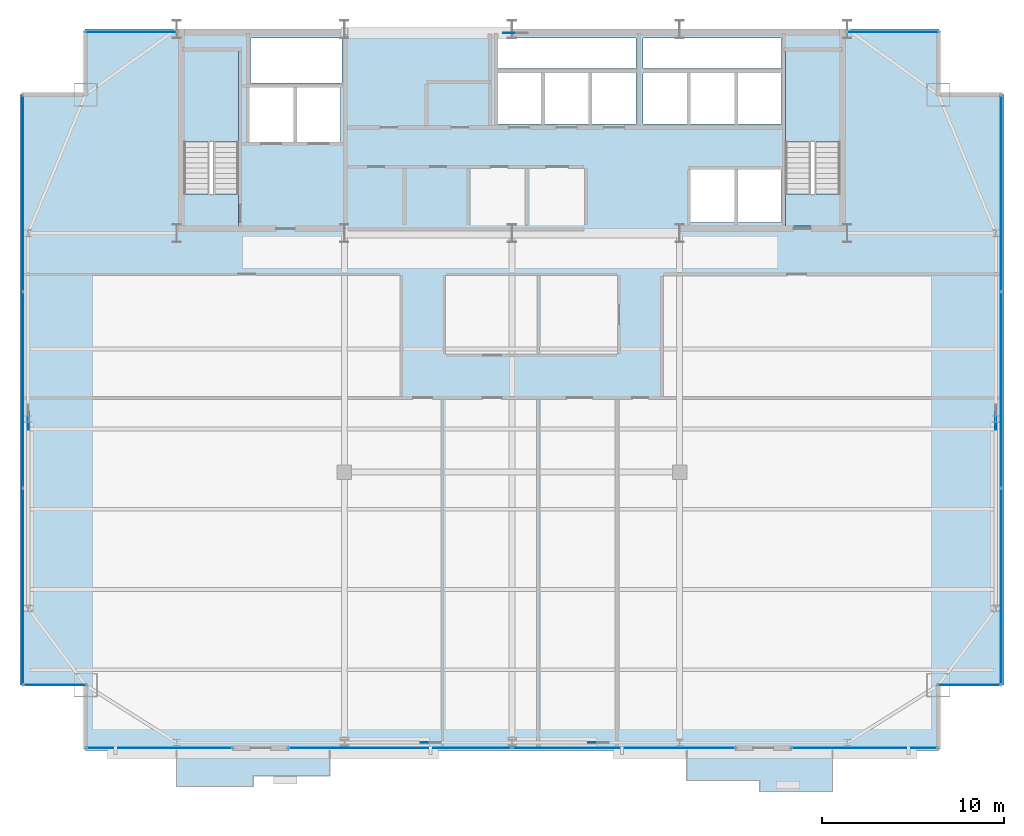
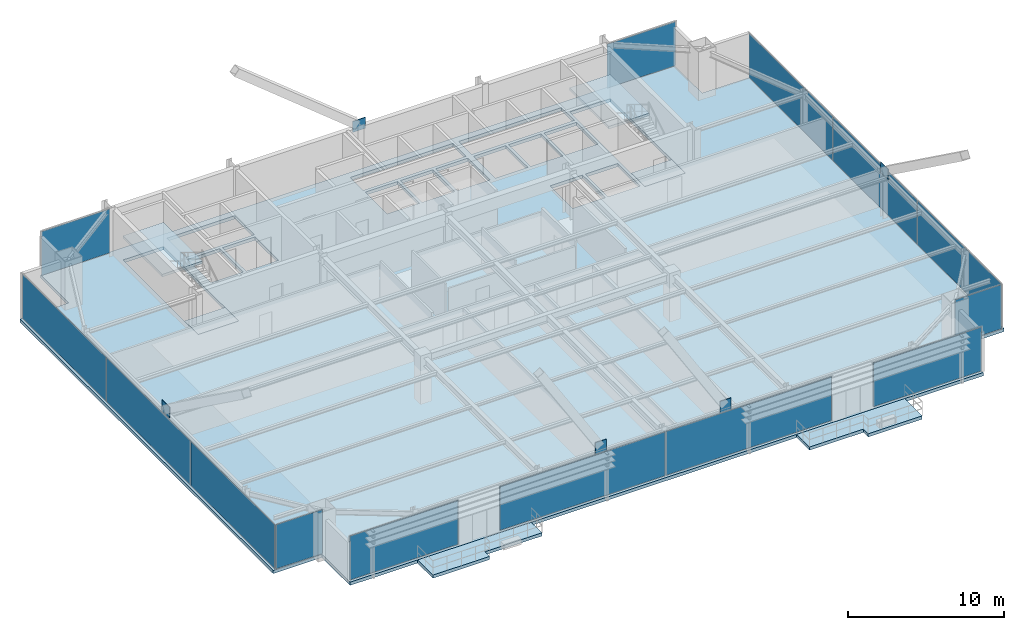
# One storey, part 25 of 32: 19 plates, 7 slabs, 11 elements without a shape of their own.
"""IFC4 building model written with IfcOpenShell, lengths in metres."""

from ifc_helpers import new_model, si_unit, direction, frame, origin, origin_2d, place, context, subcontext, project, spatial, polyline, rectangle, outline, extrude, source, transform, mapped, material, layer, layer_set, type_object, type_shapes, element, aggregate, save


model = new_model("IFC4")

# Units and contexts
model_context = context("Model", 3, precision=1e-05, world=origin(), true_north=direction((0.0, 1.0)))
body_context = subcontext(model_context, "Body", "Model", "MODEL_VIEW")
ifc_project = project(units=[si_unit("LENGTHUNIT", "METRE"), si_unit("AREAUNIT", "SQUARE_METRE"), si_unit("VOLUMEUNIT", "CUBIC_METRE"), si_unit("PLANEANGLEUNIT", "RADIAN"), si_unit("MASSUNIT", "GRAM", prefix="KILO")], contexts=[model_context])

# Site, building, storey
site_placement = place(None, origin())
site = spatial("IfcSite", under=ifc_project, at=site_placement, CompositionType="ELEMENT")
building_placement = place(site_placement, origin())
building = spatial("IfcBuilding", under=site, at=building_placement, Name="Varnel Quay Broadcast Tower", CompositionType="ELEMENT")
storey_placement = place(building_placement, frame((0.0, 0.0, 164.800048828125)))
storey = spatial("IfcBuildingStorey", under=building, at=storey_placement, Name="L40", CompositionType="ELEMENT", Elevation=164.800048828125)

# Slabs
ifc_material_1 = material(Name="Concrete CSA A23.3 C40/50", Category="concrete")
ifc_layer_1 = layer(ifc_material_1, 0.25, Name="Concrete CSA A23.3 C40/50")
ifc_layer_set_1 = layer_set([ifc_layer_1], Name="Concrete CSA A23.3 C40/50")
slab_type_1 = type_object("IfcSlabType", Name="Slab_ExtTerrace250", PredefinedType="FLOOR", material=ifc_layer_set_1)
slab_1_placement = place(storey_placement, frame((0.0, 0.0, -0.25)))
element("IfcSlab", 1, at=slab_1_placement, inside=storey, type_object=slab_type_1, Name="L40 Planted Lobe Terrace Slab 1", PredefinedType="FLOOR", context=body_context, shape_type="SweptSolid", body=[
    extrude(outline(polyline([(15.590087890625, 5.236083984375), (19.7900390625, 5.236083984375), (19.7900390625, 5.8359375), (23.989990234375, 5.8359375), (23.989990234375, 7.199951171875), (15.590087890625, 7.199951171875), (15.590087890625, 5.236083984375)])), origin(), (0.0, 0.0, 1.0), 0.25),
])
slab_2_placement = place(storey_placement, frame((0.0, 0.0, -0.25)))
element("IfcSlab", 2, at=slab_2_placement, inside=storey, type_object=slab_type_1, Name="L40 Planted Lobe Terrace Slab 2", PredefinedType="FLOOR", context=body_context, shape_type="SweptSolid", body=[
    extrude(outline(polyline([(43.60009765625, 5.56396484375), (47.594970703125, 5.56396484375), (47.594970703125, 4.964111328125), (51.590087890625, 4.964111328125), (51.590087890625, 7.199951171875), (43.60009765625, 7.199951171875), (43.60009765625, 5.56396484375)])), origin(), (0.0, 0.0, 1.0), 0.25),
])
ifc_material_2 = material(Name="Concrete CSA A23.3 C50/60", Category="concrete")
ifc_layer_2 = layer(ifc_material_2, 0.25, Name="Concrete CSA A23.3 C50/60")
ifc_layer_set_2 = layer_set([ifc_layer_2], Name="Concrete CSA A23.3 C50/60")
slab_type_2 = type_object("IfcSlabType", Name="Slab_Floor250", PredefinedType="FLOOR", material=ifc_layer_set_2)
slab_3_placement = place(storey_placement, frame((0.0, 0.0, -0.25)))
element("IfcSlab", 3, at=slab_3_placement, inside=storey, type_object=slab_type_2, Name="L40 Structural Slab", PredefinedType="FLOOR", context=body_context, shape_type="SweptSolid", body=[
    extrude(outline(polyline([(10.60009765625, 7.199951171875), (57.39990234375, 7.199951171875), (57.39990234375, 10.800048828125), (61.0, 10.800048828125), (61.0, 43.199951171875), (57.39990234375, 43.199951171875), (57.39990234375, 46.800048828125), (10.60009765625, 46.800048828125), (10.60009765625, 43.199951171875), (7.0, 43.199951171875), (7.0, 10.800048828125), (10.60009765625, 10.800048828125), (10.60009765625, 7.199951171875)]), holes=[polyline([(19.0, 36.0), (16.0, 36.0), (16.0, 45.60009765625), (19.0, 45.60009765625), (19.0, 36.0)]), polyline([(19.60009765625, 43.60009765625), (22.0, 43.60009765625), (22.0, 40.60009765625), (19.60009765625, 40.60009765625), (19.60009765625, 43.60009765625)]), polyline([(22.199951171875, 43.60009765625), (24.60009765625, 43.60009765625), (24.60009765625, 40.60009765625), (22.199951171875, 40.60009765625), (22.199951171875, 43.60009765625)]), polyline([(33.199951171875, 44.39990234375), (35.60009765625, 44.39990234375), (35.60009765625, 41.60009765625), (33.199951171875, 41.60009765625), (33.199951171875, 44.39990234375)]), polyline([(35.800048828125, 44.39990234375), (38.199951171875, 44.39990234375), (38.199951171875, 41.60009765625), (35.800048828125, 41.60009765625), (35.800048828125, 44.39990234375)]), polyline([(38.39990234375, 44.39990234375), (40.800048828125, 44.39990234375), (40.800048828125, 41.60009765625), (38.39990234375, 41.60009765625), (38.39990234375, 44.39990234375)]), polyline([(19.64990234375, 46.300048828125), (24.679931640625, 46.300048828125), (24.679931640625, 43.85009765625), (19.64990234375, 43.85009765625), (19.64990234375, 46.300048828125)]), polyline([(33.199951171875, 46.300048828125), (40.800048828125, 46.300048828125), (40.800048828125, 44.64990234375), (33.199951171875, 44.64990234375), (33.199951171875, 46.300048828125)]), polyline([(43.800048828125, 39.10009765625), (46.199951171875, 39.10009765625), (46.199951171875, 36.199951171875), (43.800048828125, 36.199951171875), (43.800048828125, 39.10009765625)]), polyline([(46.39990234375, 39.10009765625), (48.800048828125, 39.10009765625), (48.800048828125, 36.199951171875), (46.39990234375, 36.199951171875), (46.39990234375, 39.10009765625)]), polyline([(49.0, 36.0), (49.0, 45.60009765625), (52.0, 45.60009765625), (52.0, 36.0), (49.0, 36.0)]), polyline([(41.199951171875, 44.39990234375), (43.60009765625, 44.39990234375), (43.60009765625, 41.60009765625), (41.199951171875, 41.60009765625), (41.199951171875, 44.39990234375)]), polyline([(43.800048828125, 44.39990234375), (46.199951171875, 44.39990234375), (46.199951171875, 41.60009765625), (43.800048828125, 41.60009765625), (43.800048828125, 44.39990234375)]), polyline([(46.39990234375, 44.39990234375), (48.800048828125, 44.39990234375), (48.800048828125, 41.60009765625), (46.39990234375, 41.60009765625), (46.39990234375, 44.39990234375)]), polyline([(41.199951171875, 46.300048828125), (48.800048828125, 46.300048828125), (48.800048828125, 44.64990234375), (41.199951171875, 44.64990234375), (41.199951171875, 46.300048828125)])]), origin(), (0.0, 0.0, 1.0), 0.25),
])
ifc_layer_3 = layer(ifc_material_2, 0.25, Name="Concrete CSA A23.3 C50/60")
ifc_layer_set_3 = layer_set([ifc_layer_3], Name="Concrete CSA A23.3 C50/60")
slab_type_3 = type_object("IfcSlabType", Name="Slab_StairFloorLanding250", PredefinedType="FLOOR", material=ifc_layer_set_3)
slab_4_placement = place(storey_placement, frame((0.0, 0.0, -0.25)))
element("IfcSlab", 4, at=slab_4_placement, inside=storey, type_object=slab_type_3, Name="L40 ST-01 Structural Floor Landing Slab", PredefinedType="FLOOR", context=body_context, shape_type="SweptSolid", body=[
    extrude(outline(polyline([(19.0, 36.0), (19.0, 37.75), (16.0, 37.75), (16.0, 36.0), (19.0, 36.0)])), origin(), (0.0, 0.0, 1.0), 0.25),
])
slab_5_placement = place(storey_placement, frame((0.0, 0.0, -0.25)))
element("IfcSlab", 5, at=slab_5_placement, inside=storey, type_object=slab_type_3, Name="L40 ST-02 Structural Floor Landing Slab", PredefinedType="FLOOR", context=body_context, shape_type="SweptSolid", body=[
    extrude(outline(polyline([(52.0, 36.0), (52.0, 37.75), (49.0, 37.75), (49.0, 36.0), (52.0, 36.0)])), origin(), (0.0, 0.0, 1.0), 0.25),
])

# Stair, slab
ifc_material_3 = material(Name="Precast Structural Concrete C40/50", Category="concrete")
stair_type_1 = type_object("IfcStairType", Name="Stair_ST-01", PredefinedType="HALF_TURN_STAIR", material=ifc_material_3)
stair_1_placement = place(storey_placement, origin())
stair_1 = element("IfcStair", 6, at=stair_1_placement, inside=storey, type_object=stair_type_1, Name="L40 West Core Exit Stair 1", PredefinedType="HALF_TURN_STAIR")
ifc_layer_4 = layer(ifc_material_3, 0.199951171875, Name="Precast Structural Concrete C40/50")
ifc_layer_set_4 = layer_set([ifc_layer_4], Name="Precast Structural Concrete C40/50")
slab_type_4 = type_object("IfcSlabType", Name="Slab_StairLanding200", PredefinedType="LANDING", material=ifc_layer_set_4)
slab_6_placement = place(storey_placement, frame((0.0, 0.0, 1.699951171875)))
slab_6 = element("IfcSlab", 7, at=slab_6_placement, type_object=slab_type_4, Name="ST-01 landing 1", PredefinedType="LANDING", context=body_context, shape_type="SweptSolid", body=[
    extrude(outline(polyline([(19.0, 40.60009765625), (19.0, 45.60009765625), (16.0, 45.60009765625), (16.0, 40.60009765625), (19.0, 40.60009765625)])), origin(), (0.0, 0.0, 1.0), 0.199951171875),
])
aggregate(stair_1, [slab_6])

stair_type_2 = type_object("IfcStairType", Name="Stair_ST-02", PredefinedType="HALF_TURN_STAIR", material=ifc_material_3)
stair_2_placement = place(storey_placement, origin())
stair_2 = element("IfcStair", 8, at=stair_2_placement, inside=storey, type_object=stair_type_2, Name="L40 East Core Exit Stair 2", PredefinedType="HALF_TURN_STAIR")
slab_7_placement = place(storey_placement, frame((0.0, 0.0, 1.699951171875)))
slab_7 = element("IfcSlab", 9, at=slab_7_placement, type_object=slab_type_4, Name="ST-02 landing 1", PredefinedType="LANDING", context=body_context, shape_type="SweptSolid", body=[
    extrude(outline(polyline([(52.0, 40.60009765625), (52.0, 45.60009765625), (49.0, 45.60009765625), (49.0, 40.60009765625), (52.0, 40.60009765625)])), origin(), (0.0, 0.0, 1.0), 0.199951171875),
])
aggregate(stair_2, [slab_7])

# Plates
ifc_material_4 = material(Name="Structural Steel CSA G40.21 350WT", Category="steel")
ifc_layer_5 = layer(ifc_material_4, 0.0400390625, Name="Structural Steel CSA G40.21 350WT")
ifc_layer_set_5 = layer_set([ifc_layer_5], Name="Structural Steel CSA G40.21 350WT")
plate_type_1 = type_object("IfcPlateType", Name="Plate_MegaGusset", PredefinedType="USERDEFINED", material=ifc_layer_set_5)
shared_shape_1 = source(origin(), body_context, "Body", "SweptSolid", [
    extrude(rectangle(XDim=0.819091796875, YDim=0.0400390625, at=origin_2d()), origin(), (0.0, 0.0, 1.0), 1.053955078125),
])
for number, where, z_axis, x_axis, name in (
    (10, (29.39990234375, 7.64990234375, 3.14794921875), (0.0, 0.0, 1.0), (1.0, 0.0, 0.0), "Zone 3 Mega-Brace S-C1T2 Central X-Crossing Gusset Plate"),
    (11, (38.60009765625, 7.64990234375, 3.14794921875), (0.0, 0.0, 1.0), (1.0, 0.0, 0.0), "Zone 3 Mega-Brace S-C2T2 Central X-Crossing Gusset Plate"),
):
    element("IfcPlate", number, at=place(storey_placement, frame(where, z_axis=z_axis, x_axis=x_axis)), inside=storey, type_object=plate_type_1, Name=name, ObjectType="GUSSET_PLATE", PredefinedType="USERDEFINED", context=body_context, shape_type="MappedRepresentation", body=[
        mapped(shared_shape_1, transform((0.0, 0.0, 0.0), x_axis=(1.0, 0.0, 0.0), y_axis=(0.0, 1.0, 0.0), z_axis=(0.0, 0.0, 1.0), scale=1.0)),
    ])
shared_shape_2 = source(origin(), body_context, "Body", "SweptSolid", [
    extrude(rectangle(XDim=0.955078125, YDim=0.0400390625, at=origin_2d()), origin(), (0.0, 0.0, 1.0), 0.85791015625),
])
plate_1_placement = place(storey_placement, frame((34.0, 46.580078125, 3.24609375), z_axis=(0.0, 0.0, 1.0), x_axis=(1.0, 0.0, 0.0)))
element("IfcPlate", 12, at=plate_1_placement, inside=storey, type_object=plate_type_1, Name="Zone 3 Mega-Brace N-CT2 Central X-Crossing Gusset Plate", ObjectType="GUSSET_PLATE", PredefinedType="USERDEFINED", context=body_context, shape_type="MappedRepresentation", body=[
    mapped(shared_shape_2, transform((0.0, 0.0, 0.0), x_axis=(1.0, 0.0, 0.0), y_axis=(0.0, 1.0, 0.0), z_axis=(0.0, 0.0, 1.0), scale=1.0)),
])
shared_shape_3 = source(origin(), body_context, "Body", "SweptSolid", [
    extrude(rectangle(XDim=0.991943359375, YDim=0.0400390625, at=origin_2d()), origin(), (0.0, 0.0, 1.0), 0.840087890625),
])
type_shapes(plate_type_1, [shared_shape_1, shared_shape_2, shared_shape_3])
for number, where, z_axis, x_axis, name in (
    (13, (7.449951171875, 25.300048828125, 3.2548828125), (0.0, 0.0, 1.0), (0.0, 1.0, 0.0), "Zone 3 Mega-Brace W-FT2 Central X-Crossing Gusset Plate"),
    (14, (60.550048828125, 25.300048828125, 3.2548828125), (0.0, 0.0, 1.0), (0.0, 1.0, 0.0), "Zone 3 Mega-Brace E-FT2 Central X-Crossing Gusset Plate"),
):
    element("IfcPlate", number, at=place(storey_placement, frame(where, z_axis=z_axis, x_axis=x_axis)), inside=storey, type_object=plate_type_1, Name=name, ObjectType="GUSSET_PLATE", PredefinedType="USERDEFINED", context=body_context, shape_type="MappedRepresentation", body=[
        mapped(shared_shape_3, transform((0.0, 0.0, 0.0), x_axis=(1.0, 0.0, 0.0), y_axis=(0.0, 1.0, 0.0), z_axis=(0.0, 0.0, 1.0), scale=1.0)),
    ])

# Curtain wall, plate
ifc_material_5 = material(Name="Anodised Bronze Aluminium 6063-T6", Category="aluminium")
ifc_layer_6 = layer(ifc_material_5, 0.18994140625, Name="Anodised Bronze Aluminium 6063-T6")
ifc_layer_set_6 = layer_set([ifc_layer_6], Name="Anodised Bronze Aluminium 6063-T6")
curtain_wall_type_1 = type_object("IfcCurtainWallType", Name="CW_NotchCorner", PredefinedType="NOTDEFINED", material=ifc_layer_set_6)
curtain_wall_1_placement = place(storey_placement, origin())
curtain_wall_1 = element("IfcCurtainWall", 15, at=curtain_wall_1_placement, inside=storey, type_object=curtain_wall_type_1, Name="L40 SW Notch Curtain Wall", PredefinedType="NOTDEFINED")
ifc_material_6 = material(Name="Triple-Glazed Bronze Low-E Architectural Glass", Category="glass")
ifc_layer_7 = layer(ifc_material_6, 0.028076171875, Name="Triple-Glazed Bronze Low-E Architectural Glass")
ifc_layer_set_7 = layer_set([ifc_layer_7], Name="Triple-Glazed Bronze Low-E Architectural Glass")
plate_type_2 = type_object("IfcPlateType", Name="Panel_CWS-04", PredefinedType="CURTAIN_PANEL", material=ifc_layer_set_7)
shared_shape_4 = source(origin(), body_context, "Body", "SweptSolid", [
    extrude(rectangle(XDim=3.409912109375, YDim=0.028076171875, at=origin_2d()), origin(), (0.0, 0.0, 1.0), 3.43994140625),
])
type_shapes(plate_type_2, [shared_shape_4])
plate_2_placement = place(storey_placement, frame((8.9150390625, 10.800048828125, 0.054931640625), z_axis=(0.0, 0.0, 1.0), x_axis=(1.0, 0.0, 0.0)))
plate_2 = element("IfcPlate", 16, at=plate_2_placement, type_object=plate_type_2, Name="CWS-04 panel 1.1", PredefinedType="CURTAIN_PANEL", context=body_context, shape_type="MappedRepresentation", body=[
    mapped(shared_shape_4, transform((0.0, 0.0, 0.0), x_axis=(1.0, 0.0, 0.0), y_axis=(0.0, 1.0, 0.0), z_axis=(0.0, 0.0, 1.0), scale=1.0)),
])
aggregate(curtain_wall_1, [plate_2])

curtain_wall_2_placement = place(storey_placement, origin())
curtain_wall_2 = element("IfcCurtainWall", 17, at=curtain_wall_2_placement, inside=storey, type_object=curtain_wall_type_1, Name="L40 SE Notch Curtain Wall", PredefinedType="NOTDEFINED")
plate_3_placement = place(storey_placement, frame((59.0849609375, 10.800048828125, 0.054931640625), z_axis=(0.0, 0.0, 1.0), x_axis=(1.0, 0.0, 0.0)))
plate_3 = element("IfcPlate", 18, at=plate_3_placement, type_object=plate_type_2, Name="CWS-04 panel 1.1", PredefinedType="CURTAIN_PANEL", context=body_context, shape_type="MappedRepresentation", body=[
    mapped(shared_shape_4, transform((0.0, 0.0, 0.0), x_axis=(1.0, 0.0, 0.0), y_axis=(0.0, 1.0, 0.0), z_axis=(0.0, 0.0, 1.0), scale=1.0)),
])
aggregate(curtain_wall_2, [plate_3])

ifc_layer_8 = layer(ifc_material_5, 0.18994140625, Name="Anodised Bronze Aluminium 6063-T6")
ifc_layer_set_8 = layer_set([ifc_layer_8], Name="Anodised Bronze Aluminium 6063-T6")
curtain_wall_type_2 = type_object("IfcCurtainWallType", Name="CW_UpperTower", PredefinedType="NOTDEFINED", material=ifc_layer_set_8)
curtain_wall_3_placement = place(storey_placement, origin())
curtain_wall_3 = element("IfcCurtainWall", 19, at=curtain_wall_3_placement, inside=storey, type_object=curtain_wall_type_2, Name="L40 West Unitised Curtain Wall", PredefinedType="NOTDEFINED")
ifc_material_7 = material(Name="Insulated Bronze Spandrel Glass", Category="glass")
ifc_layer_9 = layer(ifc_material_7, 0.030029296875, Name="Insulated Bronze Spandrel Glass")
ifc_layer_set_9 = layer_set([ifc_layer_9], Name="Insulated Bronze Spandrel Glass")
plate_type_3 = type_object("IfcPlateType", Name="PanelSp_CWS-03", PredefinedType="CURTAIN_PANEL", material=ifc_layer_set_9)
shared_shape_5 = source(origin(), body_context, "Body", "SweptSolid", [
    extrude(rectangle(XDim=10.702392578125, YDim=0.030029296875, at=origin_2d()), origin(), (0.0, 0.0, 1.0), 3.429931640625),
])
plate_4_placement = place(storey_placement, frame((7.14990234375, 16.21630859375, 0.06005859375), z_axis=(0.0, 0.0, 1.0), x_axis=(0.0, 1.0, 0.0)))
plate_4 = element("IfcPlate", 20, at=plate_4_placement, type_object=plate_type_3, Name="CWS-03 panel 1.1", PredefinedType="CURTAIN_PANEL", context=body_context, shape_type="MappedRepresentation", body=[
    mapped(shared_shape_5, transform((0.0, 0.0, 0.0), x_axis=(1.0, 0.0, 0.0), y_axis=(0.0, 1.0, 0.0), z_axis=(0.0, 0.0, 1.0), scale=1.0)),
])

curtain_wall_4_placement = place(storey_placement, origin())
curtain_wall_4 = element("IfcCurtainWall", 21, at=curtain_wall_4_placement, inside=storey, type_object=curtain_wall_type_2, Name="L40 East Unitised Curtain Wall", PredefinedType="NOTDEFINED")
plate_5_placement = place(storey_placement, frame((60.85009765625, 16.21630859375, 0.06005859375), z_axis=(0.0, 0.0, 1.0), x_axis=(0.0, 1.0, 0.0)))
plate_5 = element("IfcPlate", 22, at=plate_5_placement, type_object=plate_type_3, Name="CWS-03 panel 1.1", PredefinedType="CURTAIN_PANEL", context=body_context, shape_type="MappedRepresentation", body=[
    mapped(shared_shape_5, transform((0.0, 0.0, 0.0), x_axis=(1.0, 0.0, 0.0), y_axis=(0.0, 1.0, 0.0), z_axis=(0.0, 0.0, 1.0), scale=1.0)),
])

# Plate
shared_shape_6 = source(origin(), body_context, "Body", "SweptSolid", [
    extrude(rectangle(XDim=10.735107421875, YDim=0.030029296875, at=origin_2d()), origin(), (0.0, 0.0, 1.0), 3.429931640625),
])
plate_6_placement = place(storey_placement, frame((7.14990234375, 27.0, 0.06005859375), z_axis=(0.0, 0.0, 1.0), x_axis=(0.0, 1.0, 0.0)))
plate_6 = element("IfcPlate", 23, at=plate_6_placement, type_object=plate_type_3, Name="CWS-03 panel 2.1", PredefinedType="CURTAIN_PANEL", context=body_context, shape_type="MappedRepresentation", body=[
    mapped(shared_shape_6, transform((0.0, 0.0, 0.0), x_axis=(1.0, 0.0, 0.0), y_axis=(0.0, 1.0, 0.0), z_axis=(0.0, 0.0, 1.0), scale=1.0)),
])

plate_7_placement = place(storey_placement, frame((60.85009765625, 27.0, 0.06005859375), z_axis=(0.0, 0.0, 1.0), x_axis=(0.0, 1.0, 0.0)))
plate_7 = element("IfcPlate", 24, at=plate_7_placement, type_object=plate_type_3, Name="CWS-03 panel 2.1", PredefinedType="CURTAIN_PANEL", context=body_context, shape_type="MappedRepresentation", body=[
    mapped(shared_shape_6, transform((0.0, 0.0, 0.0), x_axis=(1.0, 0.0, 0.0), y_axis=(0.0, 1.0, 0.0), z_axis=(0.0, 0.0, 1.0), scale=1.0)),
])

# Curtain wall, plate
curtain_wall_5_placement = place(storey_placement, origin())
curtain_wall_5 = element("IfcCurtainWall", 25, at=curtain_wall_5_placement, inside=storey, type_object=curtain_wall_type_2, Name="L40 NW Wing Curtain Wall", PredefinedType="NOTDEFINED")
ifc_layer_10 = layer(ifc_material_6, 0.030029296875, Name="Triple-Glazed Bronze Low-E Architectural Glass")
ifc_layer_set_10 = layer_set([ifc_layer_10], Name="Triple-Glazed Bronze Low-E Architectural Glass")
plate_type_4 = type_object("IfcPlateType", Name="Panel_CWS-03", PredefinedType="CURTAIN_PANEL", material=ifc_layer_set_10)
shared_shape_7 = source(origin(), body_context, "Body", "SweptSolid", [
    extrude(rectangle(XDim=5.050048828125, YDim=0.030029296875, at=origin_2d()), origin(), (0.0, 0.0, 1.0), 3.429931640625),
])
plate_8_placement = place(storey_placement, frame((13.110107421875, 46.64990234375, 0.06005859375), z_axis=(0.0, 0.0, 1.0), x_axis=(1.0, 0.0, 0.0)))
plate_8 = element("IfcPlate", 26, at=plate_8_placement, type_object=plate_type_4, Name="CWS-03 panel 1.1", PredefinedType="CURTAIN_PANEL", context=body_context, shape_type="MappedRepresentation", body=[
    mapped(shared_shape_7, transform((0.0, 0.0, 0.0), x_axis=(1.0, 0.0, 0.0), y_axis=(0.0, 1.0, 0.0), z_axis=(0.0, 0.0, 1.0), scale=1.0)),
])
aggregate(curtain_wall_5, [plate_8])

curtain_wall_6_placement = place(storey_placement, origin())
curtain_wall_6 = element("IfcCurtainWall", 27, at=curtain_wall_6_placement, inside=storey, type_object=curtain_wall_type_2, Name="L40 NE Wing Curtain Wall", PredefinedType="NOTDEFINED")
plate_9_placement = place(storey_placement, frame((54.889892578125, 46.64990234375, 0.06005859375), z_axis=(0.0, 0.0, 1.0), x_axis=(1.0, 0.0, 0.0)))
plate_9 = element("IfcPlate", 28, at=plate_9_placement, type_object=plate_type_4, Name="CWS-03 panel 1.1", PredefinedType="CURTAIN_PANEL", context=body_context, shape_type="MappedRepresentation", body=[
    mapped(shared_shape_7, transform((0.0, 0.0, 0.0), x_axis=(1.0, 0.0, 0.0), y_axis=(0.0, 1.0, 0.0), z_axis=(0.0, 0.0, 1.0), scale=1.0)),
])
aggregate(curtain_wall_6, [plate_9])

# Plate
shared_shape_8 = source(origin(), body_context, "Body", "SweptSolid", [
    extrude(rectangle(XDim=10.702392578125, YDim=0.030029296875, at=origin_2d()), origin(), (0.0, 0.0, 1.0), 3.429931640625),
])
plate_10_placement = place(storey_placement, frame((7.14990234375, 37.78369140625, 0.06005859375), z_axis=(0.0, 0.0, 1.0), x_axis=(0.0, 1.0, 0.0)))
plate_10 = element("IfcPlate", 29, at=plate_10_placement, type_object=plate_type_4, Name="CWS-03 panel 3.1", PredefinedType="CURTAIN_PANEL", context=body_context, shape_type="MappedRepresentation", body=[
    mapped(shared_shape_8, transform((0.0, 0.0, 0.0), x_axis=(1.0, 0.0, 0.0), y_axis=(0.0, 1.0, 0.0), z_axis=(0.0, 0.0, 1.0), scale=1.0)),
])

aggregate(curtain_wall_3, [plate_4, plate_6, plate_10])

plate_11_placement = place(storey_placement, frame((60.85009765625, 37.78369140625, 0.06005859375), z_axis=(0.0, 0.0, 1.0), x_axis=(0.0, 1.0, 0.0)))
plate_11 = element("IfcPlate", 30, at=plate_11_placement, type_object=plate_type_4, Name="CWS-03 panel 3.1", PredefinedType="CURTAIN_PANEL", context=body_context, shape_type="MappedRepresentation", body=[
    mapped(shared_shape_8, transform((0.0, 0.0, 0.0), x_axis=(1.0, 0.0, 0.0), y_axis=(0.0, 1.0, 0.0), z_axis=(0.0, 0.0, 1.0), scale=1.0)),
])

aggregate(curtain_wall_4, [plate_5, plate_7, plate_11])

# Curtain wall, plate
curtain_wall_7_placement = place(storey_placement, origin())
curtain_wall_7 = element("IfcCurtainWall", 31, at=curtain_wall_7_placement, inside=storey, type_object=curtain_wall_type_2, Name="L40 South Unitised Curtain Wall 1", PredefinedType="NOTDEFINED")
shared_shape_9 = source(origin(), body_context, "Body", "SweptSolid", [
    extrude(rectangle(XDim=7.989990234375, YDim=0.030029296875, at=origin_2d()), origin(), (0.0, 0.0, 1.0), 3.429931640625),
])
type_shapes(plate_type_4, [shared_shape_7, shared_shape_8, shared_shape_9])
plate_12_placement = place(storey_placement, frame((14.659912109375, 7.35009765625, 0.06005859375), z_axis=(0.0, 0.0, 1.0), x_axis=(1.0, 0.0, 0.0)))
plate_12 = element("IfcPlate", 32, at=plate_12_placement, type_object=plate_type_4, Name="CWS-03 panel 1.1", PredefinedType="CURTAIN_PANEL", context=body_context, shape_type="MappedRepresentation", body=[
    mapped(shared_shape_9, transform((0.0, 0.0, 0.0), x_axis=(1.0, 0.0, 0.0), y_axis=(0.0, 1.0, 0.0), z_axis=(0.0, 0.0, 1.0), scale=1.0)),
])
aggregate(curtain_wall_7, [plate_12])

curtain_wall_8_placement = place(storey_placement, origin())
curtain_wall_8 = element("IfcCurtainWall", 33, at=curtain_wall_8_placement, inside=storey, type_object=curtain_wall_type_2, Name="L40 South Unitised Curtain Wall 3", PredefinedType="NOTDEFINED")
plate_13_placement = place(storey_placement, frame((53.340087890625, 7.35009765625, 0.06005859375), z_axis=(0.0, 0.0, 1.0), x_axis=(1.0, 0.0, 0.0)))
plate_13 = element("IfcPlate", 34, at=plate_13_placement, type_object=plate_type_4, Name="CWS-03 panel 1.1", PredefinedType="CURTAIN_PANEL", context=body_context, shape_type="MappedRepresentation", body=[
    mapped(shared_shape_9, transform((0.0, 0.0, 0.0), x_axis=(1.0, 0.0, 0.0), y_axis=(0.0, 1.0, 0.0), z_axis=(0.0, 0.0, 1.0), scale=1.0)),
])
aggregate(curtain_wall_8, [plate_13])

# Curtain wall, plates
curtain_wall_9_placement = place(storey_placement, origin())
curtain_wall_9 = element("IfcCurtainWall", 35, at=curtain_wall_9_placement, inside=storey, type_object=curtain_wall_type_2, Name="L40 South Unitised Curtain Wall 2", PredefinedType="NOTDEFINED")
shared_shape_10 = source(origin(), body_context, "Body", "SweptSolid", [
    extrude(rectangle(XDim=12.222412109375, YDim=0.030029296875, at=origin_2d()), origin(), (0.0, 0.0, 1.0), 3.429931640625),
])
type_shapes(plate_type_3, [shared_shape_5, shared_shape_6, shared_shape_10])
plate_14_placement = place(storey_placement, frame((27.856201171875, 7.35009765625, 0.06005859375), z_axis=(0.0, 0.0, 1.0), x_axis=(1.0, 0.0, 0.0)))
plate_14 = element("IfcPlate", 36, at=plate_14_placement, type_object=plate_type_3, Name="CWS-03 panel 1.1", PredefinedType="CURTAIN_PANEL", context=body_context, shape_type="MappedRepresentation", body=[
    mapped(shared_shape_10, transform((0.0, 0.0, 0.0), x_axis=(1.0, 0.0, 0.0), y_axis=(0.0, 1.0, 0.0), z_axis=(0.0, 0.0, 1.0), scale=1.0)),
])
plate_15_placement = place(storey_placement, frame((40.143798828125, 7.35009765625, 0.06005859375), z_axis=(0.0, 0.0, 1.0), x_axis=(1.0, 0.0, 0.0)))
plate_15 = element("IfcPlate", 37, at=plate_15_placement, type_object=plate_type_3, Name="CWS-03 panel 2.1", PredefinedType="CURTAIN_PANEL", context=body_context, shape_type="MappedRepresentation", body=[
    mapped(shared_shape_10, transform((0.0, 0.0, 0.0), x_axis=(1.0, 0.0, 0.0), y_axis=(0.0, 1.0, 0.0), z_axis=(0.0, 0.0, 1.0), scale=1.0)),
])
aggregate(curtain_wall_9, [plate_14, plate_15])

save(model, "model.ifc")
